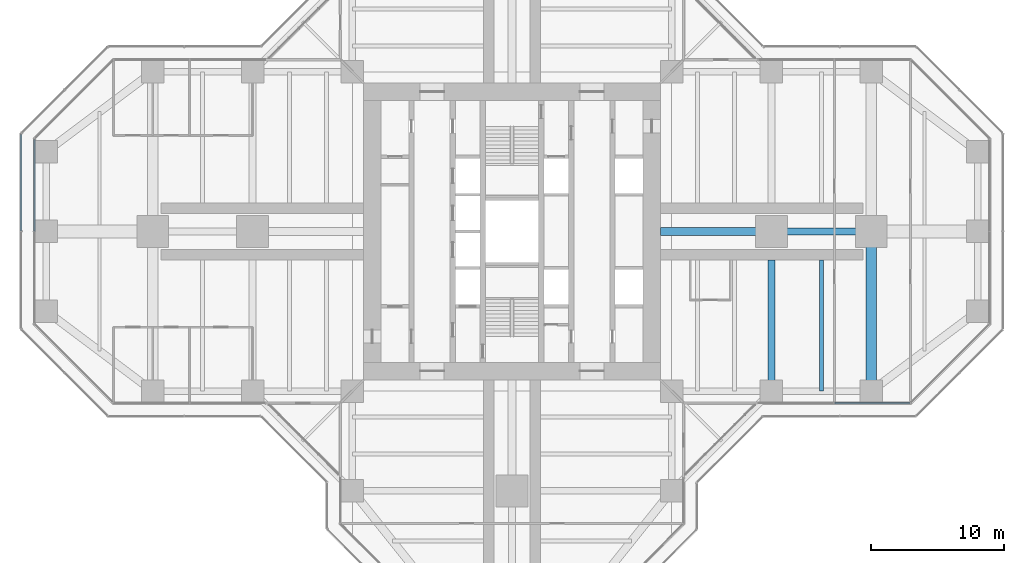
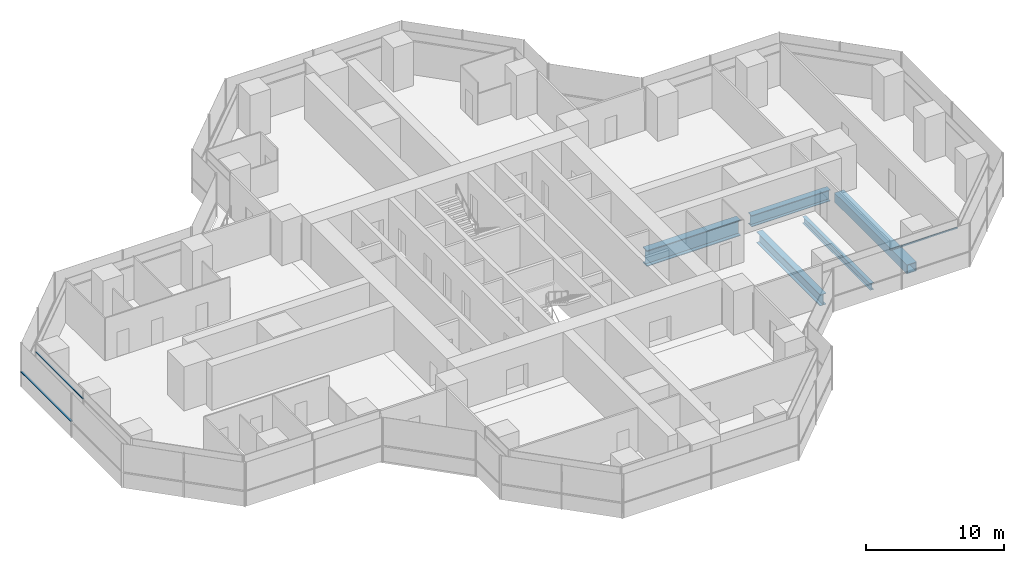
# One storey, part 6 of 20: 5 beams, 3 members, 3 elements without a shape of their own.
"""IFC4 building model written with IfcOpenShell, lengths in metres."""

from ifc_helpers import new_model, si_unit, direction, frame, origin, origin_2d, place, context, subcontext, project, spatial, rectangle, hollow_rectangle, i_section, extrude, material, material_profile, profile_set, type_object, element, aggregate, save


model = new_model("IFC4")

# Units and contexts
model_context = context("Model", 3, precision=1e-05, world=origin(), true_north=direction((0.0, 1.0)))
body_context = subcontext(model_context, "Body", "Model", "MODEL_VIEW")
ifc_project = project(units=[si_unit("LENGTHUNIT", "METRE"), si_unit("AREAUNIT", "SQUARE_METRE"), si_unit("VOLUMEUNIT", "CUBIC_METRE"), si_unit("PLANEANGLEUNIT", "RADIAN"), si_unit("MASSUNIT", "GRAM", prefix="KILO")], contexts=[model_context])

# Site, building, storey
site_placement = place(None, origin())
site = spatial("IfcSite", under=ifc_project, at=site_placement, CompositionType="ELEMENT")
building_placement = place(site_placement, origin())
building = spatial("IfcBuilding", under=site, at=building_placement, Name="Mizan Broadcast Tower", CompositionType="ELEMENT")
storey_placement = place(building_placement, frame((0.0, 0.0, 174.89990234375)))
storey = spatial("IfcBuildingStorey", under=building, at=storey_placement, Name="L40", CompositionType="ELEMENT", Elevation=174.89990234375)

# Beams
ifc_material_1 = material(Name="Steel S460", Category="steel")
ifc_material_profile_1 = material_profile(ifc_material_1, hollow_rectangle(XDim=0.800048828125, YDim=0.800048828125, WallThickness=0.050048828125, at=origin_2d()), Name="BOX 800x800x50")
ifc_profile_set_1 = profile_set([ifc_material_profile_1], Name="Steel S460")
beam_type_1 = type_object("IfcBeamType", Name="GIRDER BOX 800x800x50", PredefinedType="BEAM", material=ifc_profile_set_1)
beam_1_placement = place(storey_placement, frame((27.0, -11.280029296875, -0.52978515625), z_axis=(0.0, 1.0, 0.0), x_axis=(-1.0, 0.0, 0.0)))
element("IfcBeam", 1, at=beam_1_placement, inside=storey, type_object=beam_type_1, Name="Girder BOX 800x800x50 L40 east arm", PredefinedType="BEAM", context=body_context, shape_type="SweptSolid", body=[
    extrude(hollow_rectangle(XDim=0.800048828125, YDim=0.800048828125, WallThickness=0.050048828125, at=origin_2d()), origin(), (0.0, 0.0, 1.0), 10.56005859375),
])
ifc_material_2 = material(Name="Steel S460", Category="steel")
ifc_material_profile_2 = material_profile(ifc_material_2, i_section(OverallWidth=0.5, OverallDepth=1.0, WebThickness=0.02490234375, FlangeThickness=0.050048828125, at=origin_2d()), Name="WPG 1000x500")
ifc_profile_set_2 = profile_set([ifc_material_profile_2], Name="Steel S460")
beam_type_2 = type_object("IfcBeamType", Name="GIRDER WPG 1000x500", PredefinedType="BEAM", material=ifc_profile_set_2)
beam_2_placement = place(storey_placement, frame((19.949951171875, 0.0, -0.6298828125), z_axis=(1.0, 0.0, 0.0), x_axis=(0.0, 1.0, 0.0)))
element("IfcBeam", 2, at=beam_2_placement, inside=storey, type_object=beam_type_2, Name="Girder WPG 1000x500 L40 east arm", PredefinedType="BEAM", context=body_context, shape_type="SweptSolid", body=[
    extrude(i_section(OverallWidth=0.5, OverallDepth=1.0, WebThickness=0.02490234375, FlangeThickness=0.050048828125, at=origin_2d()), origin(), (0.0, 0.0, 1.0), 6.60009765625),
])
beam_3_placement = place(storey_placement, frame((19.5, -11.408935546875, -0.6298828125), z_axis=(0.0, 1.0, 0.0), x_axis=(-1.0, 0.0, 0.0)))
element("IfcBeam", 3, at=beam_3_placement, inside=storey, type_object=beam_type_2, Name="Girder WPG 1000x500 L40 east arm", PredefinedType="BEAM", context=body_context, shape_type="SweptSolid", body=[
    extrude(i_section(OverallWidth=0.5, OverallDepth=1.0, WebThickness=0.02490234375, FlangeThickness=0.050048828125, at=origin_2d()), origin(), (0.0, 0.0, 1.0), 9.259033203125),
])
ifc_material_3 = material(Name="Steel S460", Category="steel")
ifc_material_profile_3 = material_profile(ifc_material_3, i_section(OverallWidth=0.60009765625, OverallDepth=1.39990234375, WebThickness=0.02490234375, FlangeThickness=0.06005859375, at=origin_2d()), Name="WPG 1400x600")
ifc_profile_set_3 = profile_set([ifc_material_profile_3], Name="Steel S460")
beam_type_3 = type_object("IfcBeamType", Name="GIRDER WPG 1400x600", PredefinedType="BEAM", material=ifc_profile_set_3)
beam_4_placement = place(storey_placement, frame((11.14990234375, 0.0, -0.829833984375), z_axis=(1.0, 0.0, 0.0), x_axis=(0.0, 1.0, 0.0)))
element("IfcBeam", 4, at=beam_4_placement, inside=storey, type_object=beam_type_3, Name="Girder WPG 1400x600 L40 east arm", PredefinedType="BEAM", context=body_context, shape_type="SweptSolid", body=[
    extrude(i_section(OverallWidth=0.60009765625, OverallDepth=1.39990234375, WebThickness=0.02490234375, FlangeThickness=0.06005859375, at=origin_2d()), origin(), (0.0, 0.0, 1.0), 7.84912109375),
])

# Curtain wall, member
ifc_material_4 = material(Name="Aluminium framed glazing", Category="aluminium")
curtain_wall_type_1 = type_object("IfcCurtainWallType", Name="INNER SKIN MID ZONE", PredefinedType="USERDEFINED", material=ifc_material_4)
curtain_wall_1_placement = place(storey_placement, origin())
curtain_wall_1 = element("IfcCurtainWall", 5, at=curtain_wall_1_placement, inside=storey, type_object=curtain_wall_type_1, Name="Inner skin mid zone L40 E side", ObjectType="INNER SKIN MID ZONE", PredefinedType="USERDEFINED")
ifc_material_5 = material(Name="Aluminium, pale anodised", Category="aluminium")
ifc_material_profile_4 = material_profile(ifc_material_5, rectangle(XDim=0.1201171875, YDim=0.06005859375, at=origin_2d()), Name="TRANSOM 120x60")
ifc_profile_set_4 = profile_set([ifc_material_profile_4], Name="Aluminium, pale anodised")
member_type_1 = type_object("IfcMemberType", Name="INNER SKIN TRANSOM 60x120", PredefinedType="USERDEFINED", material=ifc_profile_set_4)
member_1_placement = place(storey_placement, frame((24.25927734375, -12.89990234375, 3.030029296875), z_axis=(1.0, 0.0, 0.0), x_axis=(0.0, 1.0, 0.0)))
member_1 = element("IfcMember", 6, at=member_1_placement, type_object=member_type_1, Name="Inner skin mid zone L40 E side transom 2.1", ObjectType="TRANSOM", PredefinedType="USERDEFINED", context=body_context, shape_type="SweptSolid", body=[
    extrude(rectangle(XDim=0.1201171875, YDim=0.06005859375, at=origin_2d()), origin(), (0.0, 0.0, 1.0), 5.639404296875),
])
aggregate(curtain_wall_1, [member_1])

curtain_wall_2_placement = place(storey_placement, origin())
curtain_wall_2 = element("IfcCurtainWall", 7, at=curtain_wall_2_placement, inside=storey, type_object=curtain_wall_type_1, Name="Inner skin mid zone L40 W end", ObjectType="INNER SKIN MID ZONE", PredefinedType="USERDEFINED")
member_2_placement = place(storey_placement, frame((-35.89990234375, 6.898681640625, 3.030029296875), z_axis=(0.0, -1.0, 0.0), x_axis=(1.0, 0.0, 0.0)))
member_2 = element("IfcMember", 8, at=member_2_placement, type_object=member_type_1, Name="Inner skin mid zone L40 W end transom 1.1", ObjectType="TRANSOM", PredefinedType="USERDEFINED", context=body_context, shape_type="SweptSolid", body=[
    extrude(rectangle(XDim=0.1201171875, YDim=0.06005859375, at=origin_2d()), origin(), (0.0, 0.0, 1.0), 6.86865234375),
])
aggregate(curtain_wall_2, [member_2])

ifc_material_6 = material(Name="Aluminium framed glazing", Category="aluminium")
curtain_wall_type_2 = type_object("IfcCurtainWallType", Name="OUTER SKIN", PredefinedType="USERDEFINED", material=ifc_material_6)
curtain_wall_3_placement = place(storey_placement, origin())
curtain_wall_3 = element("IfcCurtainWall", 9, at=curtain_wall_3_placement, inside=storey, type_object=curtain_wall_type_2, Name="Outer skin L40 W end", ObjectType="OUTER SKIN", PredefinedType="USERDEFINED")
ifc_material_7 = material(Name="Aluminium, pale anodised", Category="aluminium")
ifc_material_profile_5 = material_profile(ifc_material_7, rectangle(XDim=0.159912109375, YDim=0.06005859375, at=origin_2d()), Name="TRANSOM 160x60")
ifc_profile_set_5 = profile_set([ifc_material_profile_5], Name="Aluminium, pale anodised")
member_type_2 = type_object("IfcMemberType", Name="OUTER SKIN TRANSOM 60x160", PredefinedType="USERDEFINED", material=ifc_profile_set_5)
member_3_placement = place(storey_placement, frame((-36.89990234375, 7.292724609375, 1.400146484375), z_axis=(0.0, -1.0, 0.0), x_axis=(1.0, 0.0, 0.0)))
member_3 = element("IfcMember", 10, at=member_3_placement, type_object=member_type_2, Name="Outer skin L40 W end transom 1.1", ObjectType="TRANSOM", PredefinedType="USERDEFINED", context=body_context, shape_type="SweptSolid", body=[
    extrude(rectangle(XDim=0.159912109375, YDim=0.06005859375, at=origin_2d()), origin(), (0.0, 0.0, 1.0), 7.252685546875),
])
aggregate(curtain_wall_3, [member_3])

# Beam
ifc_material_8 = material(Name="Steel S355", Category="steel")
ifc_material_profile_6 = material_profile(ifc_material_8, i_section(OverallWidth=0.300048828125, OverallDepth=0.590087890625, WebThickness=0.012939453125, FlangeThickness=0.02490234375, FilletRadius=0.027099609375, at=origin_2d()), Name="HEA 600")
ifc_profile_set_6 = profile_set([ifc_material_profile_6], Name="Steel S355")
beam_type_4 = type_object("IfcBeamType", Name="SECONDARY BEAM HEA 600", PredefinedType="JOIST", material=ifc_profile_set_6)
beam_5_placement = place(storey_placement, frame((23.25, -12.0, -0.4248046875), z_axis=(0.0, 1.0, 0.0), x_axis=(-1.0, 0.0, 0.0)))
element("IfcBeam", 11, at=beam_5_placement, inside=storey, type_object=beam_type_4, Name="Secondary beam HEA 600 L40 east arm", PredefinedType="JOIST", context=body_context, shape_type="SweptSolid", body=[
    extrude(i_section(OverallWidth=0.300048828125, OverallDepth=0.590087890625, WebThickness=0.012939453125, FlangeThickness=0.02490234375, FilletRadius=0.027099609375, at=origin_2d()), origin(), (0.0, 0.0, 1.0), 9.85009765625),
])

save(model, "model.ifc")
